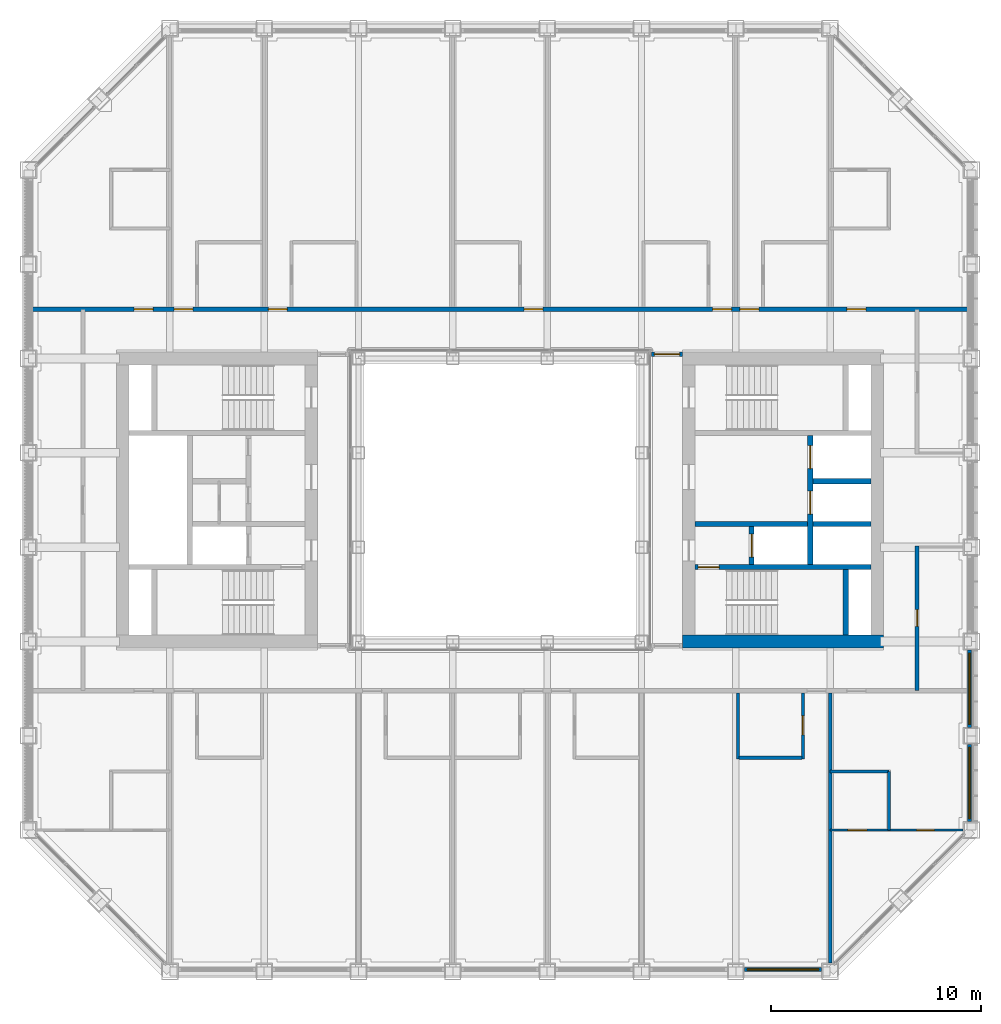
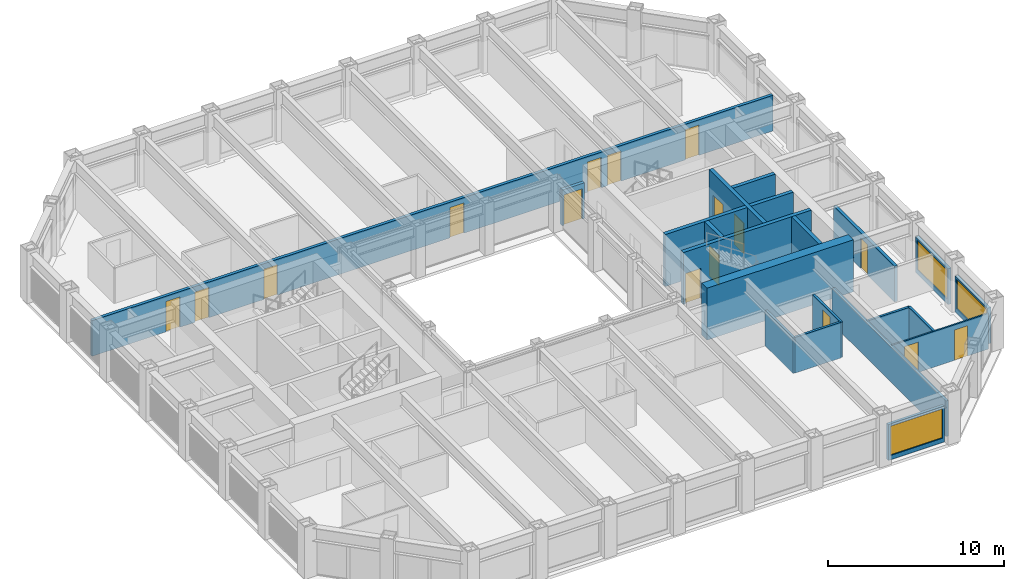
# One storey, part 12 of 17: 21 walls, 16 doors, 3 windows, 19 openings.
"""IFC4 building model written with IfcOpenShell, lengths in metres."""

import ifcopenshell
import ifcopenshell.guid

model = None  # the IFC model being written
_history = None  # IfcOwnerHistory: only IFC2X3 demands one
_inside = {}  # id of a spatial element -> (the spatial element, [elements in it])
_under = {}  # id of a project, library or spatial element -> (it, [spatial elements below it])
_declared = {}  # id of a project -> (the project, [libraries it declares])
_typed = {}  # id of a type object -> (the type object, [elements of that type])
_made_of = {}  # id of a material, layer set ... -> (it, [elements and type objects made of it])


def new_model(schema):
    """Start an empty IFC model of exactly this schema.

    Asked for "IFC4X3", IfcOpenShell would pick the latest addendum, in which some entities
    have other attributes; the version numbers below select the first issue.
    IFC2X3 requires an IfcOwnerHistory on every rooted entity: one is made here for all.
    """
    global model, _history
    if schema == "IFC4X3":
        model = ifcopenshell.file(schema_version=(4, 3, 0, 0))
    else:
        model = ifcopenshell.file(schema=schema)
    _inside.clear()
    _under.clear()
    _declared.clear()
    _typed.clear()
    _made_of.clear()
    _history = None
    if model.schema == "IFC2X3":
        org = make("IfcOrganization", Name="unknown")
        user = make(
            "IfcPersonAndOrganization",
            ThePerson=make("IfcPerson", FamilyName="unknown"),
            TheOrganization=org,
        )
        app = make(
            "IfcApplication",
            ApplicationDeveloper=org,
            Version="unknown",
            ApplicationFullName="unknown",
            ApplicationIdentifier="unknown",
        )
        _history = make(
            "IfcOwnerHistory",
            OwningUser=user,
            OwningApplication=app,
            ChangeAction="ADDED",
            CreationDate=0,
        )
    return model


def make(cls, **values):
    """One entity of the class cls with the attributes given. An attribute that is None is left unset."""
    return model.create_entity(
        cls, **{name: value for name, value in values.items() if value is not None}
    )


def rooted(cls, **values):
    """An entity with a GlobalId (a new one), such as an element, a storey or a relation."""
    return make(cls, GlobalId=ifcopenshell.guid.new(), OwnerHistory=_history, **values)


def si_unit(unit_type, name, prefix=None):
    """IfcSIUnit, for example si_unit("LENGTHUNIT", "METRE", prefix="MILLI")."""
    return make("IfcSIUnit", UnitType=unit_type, Prefix=prefix, Name=name)


def assignment(units):
    """IfcUnitAssignment: the units of a project."""
    return None if units is None else make("IfcUnitAssignment", Units=units)


def point(xyz):
    """IfcCartesianPoint."""
    return None if xyz is None else make("IfcCartesianPoint", Coordinates=xyz)


def direction(xyz):
    """IfcDirection."""
    return None if xyz is None else make("IfcDirection", DirectionRatios=xyz)


def frame(location, z_axis=None, x_axis=None):
    """IfcAxis2Placement3D, a coordinate frame: its origin and axes. An axis left out is left unset."""
    return make(
        "IfcAxis2Placement3D",
        Location=point(location),
        Axis=direction(z_axis),
        RefDirection=direction(x_axis),
    )


def frame_2d(location, x_axis=None):
    """IfcAxis2Placement2D, a coordinate frame in the plane: its origin and x axis."""
    return make(
        "IfcAxis2Placement2D", Location=point(location), RefDirection=direction(x_axis)
    )


def origin():
    """The frame at (0, 0, 0) with its axes left unset."""
    return frame((0.0, 0.0, 0.0))


def place(relative_to, where):
    """IfcLocalPlacement: puts the frame where relative to a parent placement (None: the world)."""
    return make(
        "IfcLocalPlacement", PlacementRelTo=relative_to, RelativePlacement=where
    )


def context(
    kind, dimensions, precision=None, world=None, true_north=None, identifier=None
):
    """IfcGeometricRepresentationContext, for example the 3D "Model" context."""
    return make(
        "IfcGeometricRepresentationContext",
        ContextIdentifier=identifier,
        ContextType=kind,
        CoordinateSpaceDimension=dimensions,
        Precision=precision,
        WorldCoordinateSystem=world,
        TrueNorth=true_north,
    )


def subcontext(parent, identifier, kind, view, scale=None):
    """IfcGeometricRepresentationSubContext, for example "Body" below "Model"."""
    return make(
        "IfcGeometricRepresentationSubContext",
        ContextIdentifier=identifier,
        ContextType=kind,
        ParentContext=parent,
        TargetScale=scale,
        TargetView=view,
    )


def project(units=None, contexts=None):
    """IfcProject with its units and contexts."""
    return rooted(
        "IfcProject",
        Name="project",
        RepresentationContexts=contexts,
        UnitsInContext=assignment(units),
    )


def spatial(cls, under=None, at=None, **own):
    """A site, building, storey or space (cls), placed at a placement, below another one or the project."""
    s = rooted(cls, ObjectPlacement=at, **own)
    if under is not None:
        _under.setdefault(under.id(), (under, []))[1].append(s)
    return s


def profile(cls, at=None, kind="AREA", **sizes):
    """A parametric profile (cls). Its sizes go by their IFC names, for example OverallWidth=200.0."""
    return make(cls, ProfileType=kind, Position=at, **sizes)


def rectangle(**sizes):
    """IfcRectangleProfileDef."""
    return profile("IfcRectangleProfileDef", **sizes)


def extrude(swept, where, along, depth):
    """IfcExtrudedAreaSolid: the profile swept, set in the frame where, extruded along a direction by depth."""
    return make(
        "IfcExtrudedAreaSolid",
        SweptArea=swept,
        Position=where,
        ExtrudedDirection=direction(along),
        Depth=depth,
    )


def shape(context_of_items, identifier, shape_type, items):
    """IfcShapeRepresentation: the items that make up one representation, for example the "Body"."""
    return make(
        "IfcShapeRepresentation",
        ContextOfItems=context_of_items,
        RepresentationIdentifier=identifier,
        RepresentationType=shape_type,
        Items=items,
    )


def material(Name=None, Category=None):
    """IfcMaterial."""
    return make("IfcMaterial", Name=Name, Category=Category)


def layer(
    of_material, thickness, ventilated=None, Name=None, Category=None, Priority=None
):
    """IfcMaterialLayer: one layer of a wall or slab, of a material (None: an air gap)."""
    return make(
        "IfcMaterialLayer",
        Material=of_material,
        LayerThickness=thickness,
        IsVentilated=ventilated,
        Name=Name,
        Category=Category,
        Priority=Priority,
    )


def layer_set(layers, Name=None):
    """IfcMaterialLayerSet."""
    return make("IfcMaterialLayerSet", MaterialLayers=layers, LayerSetName=Name)


def made_of(thing, what):
    """Note that an element or type object is made of a material, layer set ...; save() writes the relation."""
    if what is not None:
        _made_of.setdefault(what.id(), (what, []))[1].append(thing)
    return thing


def type_object(cls, material=None, **own):
    """A type object (cls), such as IfcWallType, which elements share."""
    return made_of(rooted(cls, **own), material)


def element(
    cls,
    number,
    at=None,
    inside=None,
    cuts=None,
    type_object=None,
    material=None,
    context=None,
    identifier="Body",
    shape_type=None,
    held_by="IfcProductDefinitionShape",
    body=None,
    shapes=None,
    **own,
):
    """One element of the class cls, such as IfcWall. Its Tag is "e" and its number.

    at: its placement. inside: the storey or other place that contains it. cuts: it is an
    opening in that element (IfcRelVoidsElement). A single representation is given by context,
    identifier, shape_type and body (its items); several are given by shapes. held_by: the class
    of the entity that holds the representations. save() writes the other relations.
    """
    e = rooted(cls, Tag="e%d" % number, ObjectPlacement=at, **own)
    if body is not None:
        shapes = [shape(context, identifier, shape_type, body)]
    if shapes is not None:
        e.Representation = make(held_by, Representations=shapes)
    if inside is not None:
        _inside.setdefault(inside.id(), (inside, []))[1].append(e)
    if cuts is not None:
        rooted(
            "IfcRelVoidsElement", RelatingBuildingElement=cuts, RelatedOpeningElement=e
        )
    if type_object is not None:
        _typed.setdefault(type_object.id(), (type_object, []))[1].append(e)
    return made_of(e, material)


def fill(opening, filler):
    """IfcRelFillsElement: the door or window that sits in an opening."""
    return rooted(
        "IfcRelFillsElement",
        RelatingOpeningElement=opening,
        RelatedBuildingElement=filler,
    )


def aggregate(whole, parts):
    """IfcRelAggregates: a whole, such as a stair, and the parts it consists of."""
    return rooted("IfcRelAggregates", RelatingObject=whole, RelatedObjects=parts)


def save(model, path):
    """Write the relations noted so far, then the file.

    IfcRelAggregates (storeys below a building ...), IfcRelContainedInSpatialStructure (elements
    in a storey), IfcRelDefinesByType, IfcRelAssociatesMaterial and IfcRelDeclares: one each for
    every whole, place, type object, material and project.
    """
    for whole, parts in _under.values():
        aggregate(whole, parts)
    for where, things in _inside.values():
        rooted(
            "IfcRelContainedInSpatialStructure",
            RelatedElements=things,
            RelatingStructure=where,
        )
    for kind, things in _typed.values():
        rooted("IfcRelDefinesByType", RelatedObjects=things, RelatingType=kind)
    for what, things in _made_of.values():
        rooted("IfcRelAssociatesMaterial", RelatedObjects=things, RelatingMaterial=what)
    for by, libraries in _declared.values():
        rooted("IfcRelDeclares", RelatingContext=by, RelatedDefinitions=libraries)
    model.write(path)


model = new_model("IFC4")

# Units and contexts
model_context = context("Model", 3, precision=1e-05, world=origin(), true_north=direction((0.0, 1.0)))
body_context = subcontext(model_context, "Body", "Model", "MODEL_VIEW")
ifc_project = project(units=[si_unit("LENGTHUNIT", "METRE"), si_unit("AREAUNIT", "SQUARE_METRE"), si_unit("VOLUMEUNIT", "CUBIC_METRE"), si_unit("PLANEANGLEUNIT", "RADIAN"), si_unit("MASSUNIT", "GRAM", prefix="KILO")], contexts=[model_context])

# Site, building, storey
site_placement = place(None, origin())
site = spatial("IfcSite", under=ifc_project, at=site_placement, CompositionType="ELEMENT")
building_placement = place(site_placement, origin())
building = spatial("IfcBuilding", under=site, at=building_placement, Name="Msasa Ring Tower", CompositionType="ELEMENT")
storey_placement = place(building_placement, frame((0.0, 0.0, 158.0)))
storey = spatial("IfcBuildingStorey", under=building, at=storey_placement, Name="L41", CompositionType="ELEMENT", Elevation=158.0)

# Wall
ifc_material_1 = material(Name="Concrete C60/75", Category="concrete")
ifc_layer_1 = layer(ifc_material_1, 0.60009765625)
ifc_layer_set_1 = layer_set([ifc_layer_1], Name="CW2 CORE WALL 600")
wall_type_1 = type_object("IfcWallType", Name="CW2 CORE WALL 600", PredefinedType="SHEAR", material=ifc_layer_set_1)
wall_1_placement = place(storey_placement, frame((8.699951171875, -6.75, 0.0), z_axis=(0.0, 0.0, 1.0), x_axis=(1.0, 0.0, 0.0)))
element("IfcWall", 1, at=wall_1_placement, inside=storey, type_object=wall_type_1, Name="E core wall S L41", PredefinedType="SHEAR", context=body_context, shape_type="SweptSolid", body=[
    extrude(rectangle(XDim=9.60009765625, YDim=0.60009765625, at=frame_2d((4.800048828125, 0.0))), origin(), (0.0, 0.0, 1.0), 3.60009765625),
])

# Wall, opening, door
ifc_material_2 = material(Name="Concrete C60/75", Category="concrete")
ifc_layer_2 = layer(ifc_material_2, 0.25)
ifc_layer_set_2 = layer_set([ifc_layer_2], Name="CW4 CORE INNER WALL 250")
wall_type_2 = type_object("IfcWallType", Name="CW4 CORE INNER WALL 250", PredefinedType="SHEAR", material=ifc_layer_set_2)
wall_2_placement = place(storey_placement, frame((9.300048828125, -3.199951171875, 0.0), z_axis=(0.0, 0.0, 1.0), x_axis=(1.0, 0.0, 0.0)))
wall_2 = element("IfcWall", 2, at=wall_2_placement, inside=storey, type_object=wall_type_2, Name="E core wall STAIRA L41", PredefinedType="SHEAR", context=body_context, shape_type="SweptSolid", body=[
    extrude(rectangle(XDim=8.39990234375, YDim=0.25, at=frame_2d((4.199951171875, 0.0))), origin(), (0.0, 0.0, 1.0), 3.60009765625),
])
opening_1_placement = place(wall_2_placement, frame((0.14990234375, 0.0, 0.0)))
opening_1 = element("IfcOpeningElement", 3, at=opening_1_placement, cuts=wall_2, Name="Opening HD-029", PredefinedType="OPENING", context=body_context, shape_type="SweptSolid", body=[
    extrude(rectangle(XDim=1.0, YDim=2.10009765625, at=frame_2d((0.5, 1.050048828125))), frame((0.0, 0.135009765625, 0.0), z_axis=(0.0, -1.0, 0.0), x_axis=(1.0, 0.0, 0.0)), (0.0, 0.0, 1.0), 0.27001953125),
])
ifc_material_3 = material(Name="Timber door leaf in a steel frame", Category="steel")
door_type_1 = type_object("IfcDoorType", Name="D6 STAIR DOOR 1000x2100", OperationType="SINGLE_SWING_LEFT", PredefinedType="DOOR", material=ifc_material_3)
door_1_placement = place(opening_1_placement, origin())
door_1 = element("IfcDoor", 4, at=door_1_placement, inside=storey, type_object=door_type_1, Name="Door L41-ESTA", OperationType="SINGLE_SWING_LEFT", OverallHeight=2.10009765625, OverallWidth=1.0, PredefinedType="DOOR", context=body_context, shape_type="SweptSolid", body=[
    extrude(rectangle(XDim=1.0, YDim=2.10009765625, at=frame_2d((0.5, 1.050048828125))), frame((0.0, 0.02490234375, 0.0), z_axis=(0.0, -1.0, 0.0), x_axis=(1.0, 0.0, 0.0)), (0.0, 0.0, 1.0), 0.050048828125),
])
fill(opening_1, door_1)

# Walls
wall_3_placement = place(storey_placement, frame((16.5, -6.449951171875, 0.0), z_axis=(0.0, 0.0, 1.0), x_axis=(0.0, 1.0, 0.0)))
element("IfcWall", 5, at=wall_3_placement, inside=storey, type_object=wall_type_2, Name="E core wall RISERA L41", PredefinedType="SHEAR", context=body_context, shape_type="SweptSolid", body=[
    extrude(rectangle(XDim=3.125, YDim=0.25, at=frame_2d((1.5625, 0.0))), origin(), (0.0, 0.0, 1.0), 3.60009765625),
])
wall_4_placement = place(storey_placement, frame((9.300048828125, -1.14990234375, 0.0), z_axis=(0.0, 0.0, 1.0), x_axis=(1.0, 0.0, 0.0)))
element("IfcWall", 6, at=wall_4_placement, inside=storey, type_object=wall_type_2, Name="E core wall FFL L41", PredefinedType="SHEAR", context=body_context, shape_type="SweptSolid", body=[
    extrude(rectangle(XDim=5.375, YDim=0.25, at=frame_2d((2.6875, 0.0))), origin(), (0.0, 0.0, 1.0), 3.60009765625),
])

# Wall, opening, door
wall_5_placement = place(storey_placement, frame((12.0, -3.074951171875, 0.0), z_axis=(0.0, 0.0, 1.0), x_axis=(0.0, 1.0, 0.0)))
wall_5 = element("IfcWall", 7, at=wall_5_placement, inside=storey, type_object=wall_type_2, Name="E core wall LOBBY L41", PredefinedType="SHEAR", context=body_context, shape_type="SweptSolid", body=[
    extrude(rectangle(XDim=1.800048828125, YDim=0.25, at=frame_2d((0.89990234375, 0.0))), origin(), (0.0, 0.0, 1.0), 3.60009765625),
])
opening_2_placement = place(wall_5_placement, frame((0.35009765625, 0.0, 0.0)))
opening_2 = element("IfcOpeningElement", 8, at=opening_2_placement, cuts=wall_5, Name="Opening LD1", PredefinedType="OPENING", context=body_context, shape_type="SweptSolid", body=[
    extrude(rectangle(XDim=1.10009765625, YDim=2.10009765625, at=frame_2d((0.550048828125, 1.050048828125))), frame((0.0, 0.135009765625, 0.0), z_axis=(0.0, -1.0, 0.0), x_axis=(1.0, 0.0, 0.0)), (0.0, 0.0, 1.0), 0.27001953125),
])
ifc_material_4 = material(Name="Stainless steel lift landing door", Category="steel")
door_type_2 = type_object("IfcDoorType", Name="LD1 LIFT LANDING DOOR 1100x2100", OperationType="DOUBLE_DOOR_SLIDING", PredefinedType="DOOR", material=ifc_material_4)
door_2_placement = place(opening_2_placement, origin())
door_2 = element("IfcDoor", 9, at=door_2_placement, inside=storey, type_object=door_type_2, Name="Lift landing door FL-E L41", OperationType="DOUBLE_DOOR_SLIDING", OverallHeight=2.10009765625, OverallWidth=1.10009765625, PredefinedType="DOOR", context=body_context, shape_type="SweptSolid", body=[
    extrude(rectangle(XDim=1.10009765625, YDim=2.10009765625, at=frame_2d((0.550048828125, 1.050048828125))), frame((0.0, 0.02490234375, 0.0), z_axis=(0.0, -1.0, 0.0), x_axis=(1.0, 0.0, 0.0)), (0.0, 0.0, 1.0), 0.050048828125),
])
fill(opening_2, door_2)

# Wall, openings, doors
wall_6_placement = place(storey_placement, frame((14.800048828125, -3.074951171875, 0.0), z_axis=(0.0, 0.0, 1.0), x_axis=(0.0, 1.0, 0.0)))
wall_6 = element("IfcWall", 10, at=wall_6_placement, inside=storey, type_object=wall_type_2, Name="E core wall SHAFT L41", PredefinedType="SHEAR", context=body_context, shape_type="SweptSolid", body=[
    extrude(rectangle(XDim=6.14990234375, YDim=0.25, at=frame_2d((3.074951171875, 0.0))), origin(), (0.0, 0.0, 1.0), 3.60009765625),
])
opening_3_placement = place(wall_6_placement, frame((2.39990234375, 0.0, 0.0)))
opening_3 = element("IfcOpeningElement", 11, at=opening_3_placement, cuts=wall_6, Name="Opening LD1", PredefinedType="OPENING", context=body_context, shape_type="SweptSolid", body=[
    extrude(rectangle(XDim=1.10009765625, YDim=2.10009765625, at=frame_2d((0.550048828125, 1.050048828125))), frame((0.0, 0.135009765625, 0.0), z_axis=(0.0, -1.0, 0.0), x_axis=(1.0, 0.0, 0.0)), (0.0, 0.0, 1.0), 0.27001953125),
])
opening_4_placement = place(wall_6_placement, frame((4.574951171875, 0.0, 0.0)))
opening_4 = element("IfcOpeningElement", 12, at=opening_4_placement, cuts=wall_6, Name="Opening LD1", PredefinedType="OPENING", context=body_context, shape_type="SweptSolid", body=[
    extrude(rectangle(XDim=1.10009765625, YDim=2.10009765625, at=frame_2d((0.550048828125, 1.050048828125))), frame((0.0, 0.135009765625, 0.0), z_axis=(0.0, -1.0, 0.0), x_axis=(1.0, 0.0, 0.0)), (0.0, 0.0, 1.0), 0.27001953125),
])
door_3_placement = place(opening_3_placement, origin())
door_3 = element("IfcDoor", 13, at=door_3_placement, inside=storey, type_object=door_type_2, Name="Lift landing door PL-H1 L41", OperationType="DOUBLE_DOOR_SLIDING", OverallHeight=2.10009765625, OverallWidth=1.10009765625, PredefinedType="DOOR", context=body_context, shape_type="SweptSolid", body=[
    extrude(rectangle(XDim=1.10009765625, YDim=2.10009765625, at=frame_2d((0.550048828125, 1.050048828125))), frame((0.0, 0.02490234375, 0.0), z_axis=(0.0, -1.0, 0.0), x_axis=(1.0, 0.0, 0.0)), (0.0, 0.0, 1.0), 0.050048828125),
])
fill(opening_3, door_3)
door_4_placement = place(opening_4_placement, origin())
door_4 = element("IfcDoor", 14, at=door_4_placement, inside=storey, type_object=door_type_2, Name="Lift landing door PL-H2 L41", OperationType="DOUBLE_DOOR_SLIDING", OverallHeight=2.10009765625, OverallWidth=1.10009765625, PredefinedType="DOOR", context=body_context, shape_type="SweptSolid", body=[
    extrude(rectangle(XDim=1.10009765625, YDim=2.10009765625, at=frame_2d((0.550048828125, 1.050048828125))), frame((0.0, 0.02490234375, 0.0), z_axis=(0.0, -1.0, 0.0), x_axis=(1.0, 0.0, 0.0)), (0.0, 0.0, 1.0), 0.050048828125),
])
fill(opening_4, door_4)

# Walls
for number, where, z_axis, x_axis, name in (
    (15, (14.925048828125, -1.14990234375, 0.0), (0.0, 0.0, 1.0), (1.0, 0.0, 0.0), "E core wall HSEP L41"),
    (16, (14.925048828125, 0.89990234375, 0.0), (0.0, 0.0, 1.0), (1.0, 0.0, 0.0), "E core wall HLIFT L41"),
):
    element("IfcWall", number, at=place(storey_placement, frame(where, z_axis=z_axis, x_axis=x_axis)), inside=storey, type_object=wall_type_2, Name=name, PredefinedType="SHEAR", context=body_context, shape_type="SweptSolid", body=[
        extrude(rectangle(XDim=2.77490234375, YDim=0.25, at=frame_2d((1.387451171875, 0.0))), origin(), (0.0, 0.0, 1.0), 3.60009765625),
    ])

# Wall, opening, window
ifc_material_5 = material(Name="Terracotta rainscreen on blockwork", Category="masonry")
ifc_layer_3 = layer(ifc_material_5, 0.199951171875)
ifc_layer_set_3 = layer_set([ifc_layer_3], Name="FW1 TERRACOTTA-LINED INFILL BAY WALL 200")
wall_type_3 = type_object("IfcWallType", Name="FW1 TERRACOTTA-LINED INFILL BAY WALL 200", PredefinedType="SOLIDWALL", material=ifc_layer_set_3)
wall_7_placement = place(storey_placement, frame((11.655029296875, -22.39990234375, 0.0), z_axis=(0.0, 0.0, 1.0), x_axis=(1.0, 0.0, 0.0)))
wall_7 = element("IfcWall", 17, at=wall_7_placement, inside=storey, type_object=wall_type_3, Name="Infill bay wall S L41 06", PredefinedType="SOLIDWALL", context=body_context, shape_type="SweptSolid", body=[
    extrude(rectangle(XDim=3.68994140625, YDim=0.199951171875, at=frame_2d((1.844970703125, 0.0))), origin(), (0.0, 0.0, 1.0), 2.47900390625),
])
opening_5_placement = place(wall_7_placement, frame((0.14501953125, 0.0, 0.300048828125)))
opening_5 = element("IfcOpeningElement", 18, at=opening_5_placement, cuts=wall_7, Name="Opening WN2", PredefinedType="OPENING", context=body_context, shape_type="SweptSolid", body=[
    extrude(rectangle(XDim=3.39990234375, YDim=2.029052734375, at=frame_2d((1.699951171875, 1.0146484375))), frame((0.0, 0.10986328125, 0.0), z_axis=(0.0, -1.0, 0.0), x_axis=(1.0, 0.0, 0.0)), (0.0, 0.0, 1.0), 0.219970703125),
])
ifc_material_6 = material(Name="Aluminium frame with clear glass", Category="aluminium")
window_type = type_object("IfcWindowType", Name="WN2 GUEST ROOM WINDOW 3400x2029", PartitioningType="SINGLE_PANEL", PredefinedType="WINDOW", material=ifc_material_6)
window_1_placement = place(opening_5_placement, origin())
window_1 = element("IfcWindow", 19, at=window_1_placement, inside=storey, type_object=window_type, Name="Window S L41 06", OverallHeight=2.029052734375, OverallWidth=3.39990234375, PartitioningType="SINGLE_PANEL", PredefinedType="WINDOW", context=body_context, shape_type="SweptSolid", body=[
    extrude(rectangle(XDim=3.39990234375, YDim=2.029052734375, at=frame_2d((1.699951171875, 1.0146484375))), frame((0.0, 0.030029296875, 0.0), z_axis=(0.0, -1.0, 0.0), x_axis=(1.0, 0.0, 0.0)), (0.0, 0.0, 1.0), 0.06005859375),
])
fill(opening_5, window_1)

wall_8_placement = place(storey_placement, frame((22.39990234375, -15.344970703125, 0.0), z_axis=(0.0, 0.0, 1.0), x_axis=(0.0, 1.0, 0.0)))
wall_8 = element("IfcWall", 20, at=wall_8_placement, inside=storey, type_object=wall_type_3, Name="Infill bay wall E L41 09", PredefinedType="SOLIDWALL", context=body_context, shape_type="SweptSolid", body=[
    extrude(rectangle(XDim=3.68994140625, YDim=0.199951171875, at=frame_2d((1.844970703125, 0.0))), origin(), (0.0, 0.0, 1.0), 2.47900390625),
])
opening_6_placement = place(wall_8_placement, frame((0.14501953125, 0.0, 0.300048828125)))
opening_6 = element("IfcOpeningElement", 21, at=opening_6_placement, cuts=wall_8, Name="Opening WN2", PredefinedType="OPENING", context=body_context, shape_type="SweptSolid", body=[
    extrude(rectangle(XDim=3.39990234375, YDim=2.029052734375, at=frame_2d((1.699951171875, 1.0146484375))), frame((0.0, 0.10986328125, 0.0), z_axis=(0.0, -1.0, 0.0), x_axis=(1.0, 0.0, 0.0)), (0.0, 0.0, 1.0), 0.219970703125),
])
window_2_placement = place(opening_6_placement, origin())
window_2 = element("IfcWindow", 22, at=window_2_placement, inside=storey, type_object=window_type, Name="Window E L41 09", OverallHeight=2.029052734375, OverallWidth=3.39990234375, PartitioningType="SINGLE_PANEL", PredefinedType="WINDOW", context=body_context, shape_type="SweptSolid", body=[
    extrude(rectangle(XDim=3.39990234375, YDim=2.029052734375, at=frame_2d((1.699951171875, 1.0146484375))), frame((0.0, 0.030029296875, 0.0), z_axis=(0.0, -1.0, 0.0), x_axis=(1.0, 0.0, 0.0)), (0.0, 0.0, 1.0), 0.06005859375),
])
fill(opening_6, window_2)

wall_9_placement = place(storey_placement, frame((22.39990234375, -10.844970703125, 0.0), z_axis=(0.0, 0.0, 1.0), x_axis=(0.0, 1.0, 0.0)))
wall_9 = element("IfcWall", 23, at=wall_9_placement, inside=storey, type_object=wall_type_3, Name="Infill bay wall E L41 10", PredefinedType="SOLIDWALL", context=body_context, shape_type="SweptSolid", body=[
    extrude(rectangle(XDim=3.68994140625, YDim=0.199951171875, at=frame_2d((1.844970703125, 0.0))), origin(), (0.0, 0.0, 1.0), 2.47900390625),
])
opening_7_placement = place(wall_9_placement, frame((0.14501953125, 0.0, 0.300048828125)))
opening_7 = element("IfcOpeningElement", 24, at=opening_7_placement, cuts=wall_9, Name="Opening WN2", PredefinedType="OPENING", context=body_context, shape_type="SweptSolid", body=[
    extrude(rectangle(XDim=3.39990234375, YDim=2.029052734375, at=frame_2d((1.699951171875, 1.0146484375))), frame((0.0, 0.10986328125, 0.0), z_axis=(0.0, -1.0, 0.0), x_axis=(1.0, 0.0, 0.0)), (0.0, 0.0, 1.0), 0.219970703125),
])
window_3_placement = place(opening_7_placement, origin())
window_3 = element("IfcWindow", 25, at=window_3_placement, inside=storey, type_object=window_type, Name="Window E L41 10", OverallHeight=2.029052734375, OverallWidth=3.39990234375, PartitioningType="SINGLE_PANEL", PredefinedType="WINDOW", context=body_context, shape_type="SweptSolid", body=[
    extrude(rectangle(XDim=3.39990234375, YDim=2.029052734375, at=frame_2d((1.699951171875, 1.0146484375))), frame((0.0, 0.030029296875, 0.0), z_axis=(0.0, -1.0, 0.0), x_axis=(1.0, 0.0, 0.0)), (0.0, 0.0, 1.0), 0.06005859375),
])
fill(opening_7, window_3)

# Wall, opening, door
ifc_material_7 = material(Name="Concrete blockwork", Category="masonry")
ifc_layer_4 = layer(ifc_material_7, 0.199951171875)
ifc_layer_set_4 = layer_set([ifc_layer_4], Name="PT1 CORRIDOR WALL 200")
wall_type_4 = type_object("IfcWallType", Name="PT1 CORRIDOR WALL 200", PredefinedType="PARTITIONING", material=ifc_layer_set_4)
wall_10_placement = place(storey_placement, frame((7.22998046875, 6.949951171875, 0.0), z_axis=(0.0, 0.0, 1.0), x_axis=(1.0, 0.0, 0.0)))
wall_10 = element("IfcWall", 26, at=wall_10_placement, inside=storey, type_object=wall_type_4, Name="Corridor wall L41-SDEN", PredefinedType="PARTITIONING", context=body_context, shape_type="SweptSolid", body=[
    extrude(rectangle(XDim=1.469970703125, YDim=0.199951171875, at=frame_2d((0.73486328125, 0.0))), origin(), (0.0, 0.0, 1.0), 2.473388671875),
])
opening_8_placement = place(wall_10_placement, frame((0.135009765625, 0.0, 0.0)))
opening_8 = element("IfcOpeningElement", 27, at=opening_8_placement, cuts=wall_10, Name="Opening HD-016", PredefinedType="OPENING", context=body_context, shape_type="SweptSolid", body=[
    extrude(rectangle(XDim=1.199951171875, YDim=2.10009765625, at=frame_2d((0.60009765625, 1.050048828125))), frame((0.0, 0.10986328125, 0.0), z_axis=(0.0, -1.0, 0.0), x_axis=(1.0, 0.0, 0.0)), (0.0, 0.0, 1.0), 0.219970703125),
])
ifc_material_8 = material(Name="Timber door leaf in a steel frame", Category="steel")
door_type_3 = type_object("IfcDoorType", Name="D25 CORRIDOR PAIR OF SMOKE DOORS 1200x2100", OperationType="DOUBLE_DOOR_DOUBLE_SWING", PredefinedType="DOOR", material=ifc_material_8)
door_5_placement = place(opening_8_placement, origin())
door_5 = element("IfcDoor", 28, at=door_5_placement, inside=storey, type_object=door_type_3, Name="Door L41-SDEN", OperationType="DOUBLE_DOOR_DOUBLE_SWING", OverallHeight=2.10009765625, OverallWidth=1.199951171875, PredefinedType="DOOR", context=body_context, shape_type="SweptSolid", body=[
    extrude(rectangle(XDim=1.199951171875, YDim=2.10009765625, at=frame_2d((0.60009765625, 1.050048828125))), frame((0.0, 0.02490234375, 0.0), z_axis=(0.0, -1.0, 0.0), x_axis=(1.0, 0.0, 0.0)), (0.0, 0.0, 1.0), 0.050048828125),
])
fill(opening_8, door_5)

# Wall, openings, doors
wall_11_placement = place(storey_placement, frame((-22.300048828125, 9.10009765625, 0.0), z_axis=(0.0, 0.0, 1.0), x_axis=(1.0, 0.0, 0.0)))
wall_11 = element("IfcWall", 29, at=wall_11_placement, inside=storey, type_object=wall_type_4, Name="Corridor wall L41-CORRN0", PredefinedType="PARTITIONING", context=body_context, shape_type="SweptSolid", body=[
    extrude(rectangle(XDim=44.60009765625, YDim=0.199951171875, at=frame_2d((22.300048828125, 0.0))), origin(), (0.0, 0.0, 1.0), 2.473388671875),
])
opening_9_placement = place(wall_11_placement, frame((6.75, 0.0, 0.0)))
opening_9 = element("IfcOpeningElement", 30, at=opening_9_placement, cuts=wall_11, Name="Opening HD-009", PredefinedType="OPENING", context=body_context, shape_type="SweptSolid", body=[
    extrude(rectangle(XDim=0.89990234375, YDim=2.10009765625, at=frame_2d((0.449951171875, 1.050048828125))), frame((0.0, 0.10986328125, 0.0), z_axis=(0.0, -1.0, 0.0), x_axis=(1.0, 0.0, 0.0)), (0.0, 0.0, 1.0), 0.219970703125),
])
opening_10_placement = place(wall_11_placement, frame((11.25, 0.0, 0.0)))
opening_10 = element("IfcOpeningElement", 31, at=opening_10_placement, cuts=wall_11, Name="Opening HD-010", PredefinedType="OPENING", context=body_context, shape_type="SweptSolid", body=[
    extrude(rectangle(XDim=0.89990234375, YDim=2.10009765625, at=frame_2d((0.449951171875, 1.050048828125))), frame((0.0, 0.10986328125, 0.0), z_axis=(0.0, -1.0, 0.0), x_axis=(1.0, 0.0, 0.0)), (0.0, 0.0, 1.0), 0.219970703125),
])
opening_11_placement = place(wall_11_placement, frame((23.449951171875, 0.0, 0.0)))
opening_11 = element("IfcOpeningElement", 32, at=opening_11_placement, cuts=wall_11, Name="Opening HD-011", PredefinedType="OPENING", context=body_context, shape_type="SweptSolid", body=[
    extrude(rectangle(XDim=0.89990234375, YDim=2.10009765625, at=frame_2d((0.449951171875, 1.050048828125))), frame((0.0, 0.10986328125, 0.0), z_axis=(0.0, -1.0, 0.0), x_axis=(1.0, 0.0, 0.0)), (0.0, 0.0, 1.0), 0.219970703125),
])
opening_12_placement = place(wall_11_placement, frame((32.449951171875, 0.0, 0.0)))
opening_12 = element("IfcOpeningElement", 33, at=opening_12_placement, cuts=wall_11, Name="Opening HD-012", PredefinedType="OPENING", context=body_context, shape_type="SweptSolid", body=[
    extrude(rectangle(XDim=0.89990234375, YDim=2.10009765625, at=frame_2d((0.449951171875, 1.050048828125))), frame((0.0, 0.10986328125, 0.0), z_axis=(0.0, -1.0, 0.0), x_axis=(1.0, 0.0, 0.0)), (0.0, 0.0, 1.0), 0.219970703125),
])
opening_13_placement = place(wall_11_placement, frame((33.75, 0.0, 0.0)))
opening_13 = element("IfcOpeningElement", 34, at=opening_13_placement, cuts=wall_11, Name="Opening HD-013", PredefinedType="OPENING", context=body_context, shape_type="SweptSolid", body=[
    extrude(rectangle(XDim=0.89990234375, YDim=2.10009765625, at=frame_2d((0.449951171875, 1.050048828125))), frame((0.0, 0.10986328125, 0.0), z_axis=(0.0, -1.0, 0.0), x_axis=(1.0, 0.0, 0.0)), (0.0, 0.0, 1.0), 0.219970703125),
])
opening_14_placement = place(wall_11_placement, frame((38.85009765625, 0.0, 0.0)))
opening_14 = element("IfcOpeningElement", 35, at=opening_14_placement, cuts=wall_11, Name="Opening HD-014", PredefinedType="OPENING", context=body_context, shape_type="SweptSolid", body=[
    extrude(rectangle(XDim=0.89990234375, YDim=2.10009765625, at=frame_2d((0.449951171875, 1.050048828125))), frame((0.0, 0.10986328125, 0.0), z_axis=(0.0, -1.0, 0.0), x_axis=(1.0, 0.0, 0.0)), (0.0, 0.0, 1.0), 0.219970703125),
])
opening_15_placement = place(wall_11_placement, frame((4.85009765625, 0.0, 0.0)))
opening_15 = element("IfcOpeningElement", 36, at=opening_15_placement, cuts=wall_11, Name="Opening HD-008", PredefinedType="OPENING", context=body_context, shape_type="SweptSolid", body=[
    extrude(rectangle(XDim=0.89990234375, YDim=2.10009765625, at=frame_2d((0.449951171875, 1.050048828125))), frame((0.0, 0.10986328125, 0.0), z_axis=(0.0, -1.0, 0.0), x_axis=(1.0, 0.0, 0.0)), (0.0, 0.0, 1.0), 0.219970703125),
])
ifc_material_9 = material(Name="Timber door leaf in a steel frame", Category="steel")
door_type_4 = type_object("IfcDoorType", Name="D1 SINGLE DOOR TO CORRIDOR 900x2100", OperationType="SINGLE_SWING_LEFT", PredefinedType="DOOR", material=ifc_material_9)
door_6_placement = place(opening_9_placement, origin())
door_6 = element("IfcDoor", 37, at=door_6_placement, inside=storey, type_object=door_type_4, Name="Door L41-GN00", OperationType="SINGLE_SWING_LEFT", OverallHeight=2.10009765625, OverallWidth=0.89990234375, PredefinedType="DOOR", context=body_context, shape_type="SweptSolid", body=[
    extrude(rectangle(XDim=0.89990234375, YDim=2.10009765625, at=frame_2d((0.449951171875, 1.050048828125))), frame((0.0, 0.02490234375, 0.0), z_axis=(0.0, -1.0, 0.0), x_axis=(1.0, 0.0, 0.0)), (0.0, 0.0, 1.0), 0.050048828125),
])
fill(opening_9, door_6)
door_7_placement = place(opening_10_placement, origin())
door_7 = element("IfcDoor", 38, at=door_7_placement, inside=storey, type_object=door_type_4, Name="Door L41-GN01", OperationType="SINGLE_SWING_LEFT", OverallHeight=2.10009765625, OverallWidth=0.89990234375, PredefinedType="DOOR", context=body_context, shape_type="SweptSolid", body=[
    extrude(rectangle(XDim=0.89990234375, YDim=2.10009765625, at=frame_2d((0.449951171875, 1.050048828125))), frame((0.0, 0.02490234375, 0.0), z_axis=(0.0, -1.0, 0.0), x_axis=(1.0, 0.0, 0.0)), (0.0, 0.0, 1.0), 0.050048828125),
])
fill(opening_10, door_7)
door_8_placement = place(opening_11_placement, origin())
door_8 = element("IfcDoor", 39, at=door_8_placement, inside=storey, type_object=door_type_4, Name="Door L41-GN02", OperationType="SINGLE_SWING_RIGHT", OverallHeight=2.10009765625, OverallWidth=0.89990234375, PredefinedType="DOOR", context=body_context, shape_type="SweptSolid", body=[
    extrude(rectangle(XDim=0.89990234375, YDim=2.10009765625, at=frame_2d((0.449951171875, 1.050048828125))), frame((0.0, 0.02490234375, 0.0), z_axis=(0.0, -1.0, 0.0), x_axis=(1.0, 0.0, 0.0)), (0.0, 0.0, 1.0), 0.050048828125),
])
fill(opening_11, door_8)
door_9_placement = place(opening_12_placement, origin())
door_9 = element("IfcDoor", 40, at=door_9_placement, inside=storey, type_object=door_type_4, Name="Door L41-GN03", OperationType="SINGLE_SWING_RIGHT", OverallHeight=2.10009765625, OverallWidth=0.89990234375, PredefinedType="DOOR", context=body_context, shape_type="SweptSolid", body=[
    extrude(rectangle(XDim=0.89990234375, YDim=2.10009765625, at=frame_2d((0.449951171875, 1.050048828125))), frame((0.0, 0.02490234375, 0.0), z_axis=(0.0, -1.0, 0.0), x_axis=(1.0, 0.0, 0.0)), (0.0, 0.0, 1.0), 0.050048828125),
])
fill(opening_12, door_9)
door_10_placement = place(opening_13_placement, origin())
door_10 = element("IfcDoor", 41, at=door_10_placement, inside=storey, type_object=door_type_4, Name="Door L41-GN04", OperationType="SINGLE_SWING_RIGHT", OverallHeight=2.10009765625, OverallWidth=0.89990234375, PredefinedType="DOOR", context=body_context, shape_type="SweptSolid", body=[
    extrude(rectangle(XDim=0.89990234375, YDim=2.10009765625, at=frame_2d((0.449951171875, 1.050048828125))), frame((0.0, 0.02490234375, 0.0), z_axis=(0.0, -1.0, 0.0), x_axis=(1.0, 0.0, 0.0)), (0.0, 0.0, 1.0), 0.050048828125),
])
fill(opening_13, door_10)
ifc_material_10 = material(Name="Timber door leaf in a steel frame", Category="steel")
door_type_5 = type_object("IfcDoorType", Name="D2 ENTRANCE DOOR 900x2100", OperationType="SINGLE_SWING_LEFT", PredefinedType="DOOR", material=ifc_material_10)
door_11_placement = place(opening_14_placement, origin())
door_11 = element("IfcDoor", 42, at=door_11_placement, inside=storey, type_object=door_type_5, Name="Door L41-CSNE", OperationType="SINGLE_SWING_RIGHT", OverallHeight=2.10009765625, OverallWidth=0.89990234375, PredefinedType="DOOR", context=body_context, shape_type="SweptSolid", body=[
    extrude(rectangle(XDim=0.89990234375, YDim=2.10009765625, at=frame_2d((0.449951171875, 1.050048828125))), frame((0.0, 0.02490234375, 0.0), z_axis=(0.0, -1.0, 0.0), x_axis=(1.0, 0.0, 0.0)), (0.0, 0.0, 1.0), 0.050048828125),
])
fill(opening_14, door_11)
door_12_placement = place(opening_15_placement, origin())
door_12 = element("IfcDoor", 43, at=door_12_placement, inside=storey, type_object=door_type_5, Name="Door L41-CSNW", OperationType="SINGLE_SWING_LEFT", OverallHeight=2.10009765625, OverallWidth=0.89990234375, PredefinedType="DOOR", context=body_context, shape_type="SweptSolid", body=[
    extrude(rectangle(XDim=0.89990234375, YDim=2.10009765625, at=frame_2d((0.449951171875, 1.050048828125))), frame((0.0, 0.02490234375, 0.0), z_axis=(0.0, -1.0, 0.0), x_axis=(1.0, 0.0, 0.0)), (0.0, 0.0, 1.0), 0.050048828125),
])
fill(opening_15, door_12)

# Wall, opening, door
wall_12_placement = place(storey_placement, frame((19.89990234375, -9.10009765625, 0.0), z_axis=(0.0, 0.0, 1.0), x_axis=(0.0, 1.0, 0.0)))
wall_12 = element("IfcWall", 44, at=wall_12_placement, inside=storey, type_object=wall_type_4, Name="Corridor wall L41-STRES", PredefinedType="PARTITIONING", context=body_context, shape_type="SweptSolid", body=[
    extrude(rectangle(XDim=6.900146484375, YDim=0.199951171875, at=frame_2d((3.4501953125, 0.0))), origin(), (0.0, 0.0, 1.0), 2.473388671875),
])
opening_16_placement = place(wall_12_placement, frame((3.074951171875, 0.0, 0.0)))
opening_16 = element("IfcOpeningElement", 45, at=opening_16_placement, cuts=wall_12, Name="Opening HD-030", PredefinedType="OPENING", context=body_context, shape_type="SweptSolid", body=[
    extrude(rectangle(XDim=0.800048828125, YDim=2.10009765625, at=frame_2d((0.39990234375, 1.050048828125))), frame((0.0, 0.10986328125, 0.0), z_axis=(0.0, -1.0, 0.0), x_axis=(1.0, 0.0, 0.0)), (0.0, 0.0, 1.0), 0.219970703125),
])
ifc_material_11 = material(Name="Timber door leaf in a steel frame", Category="steel")
door_type_6 = type_object("IfcDoorType", Name="D11 NARROW STORE DOOR 800x2100", OperationType="SINGLE_SWING_LEFT", PredefinedType="DOOR", material=ifc_material_11)
door_13_placement = place(opening_16_placement, origin())
door_13 = element("IfcDoor", 46, at=door_13_placement, inside=storey, type_object=door_type_6, Name="Door L41-CLE", OperationType="SINGLE_SWING_LEFT", OverallHeight=2.10009765625, OverallWidth=0.800048828125, PredefinedType="DOOR", context=body_context, shape_type="SweptSolid", body=[
    extrude(rectangle(XDim=0.800048828125, YDim=2.10009765625, at=frame_2d((0.39990234375, 1.050048828125))), frame((0.0, 0.02490234375, 0.0), z_axis=(0.0, -1.0, 0.0), x_axis=(1.0, 0.0, 0.0)), (0.0, 0.0, 1.0), 0.050048828125),
])
fill(opening_16, door_13)

# Wall, openings, doors
ifc_material_12 = material(Name="Gypsum board on steel studs", Category="steel")
ifc_layer_5 = layer(ifc_material_12, 0.10009765625)
ifc_layer_set_5 = layer_set([ifc_layer_5], Name="PT2 STUD PARTITION 100")
wall_type_5 = type_object("IfcWallType", Name="PT2 STUD PARTITION 100", PredefinedType="PARTITIONING", material=ifc_layer_set_5)
wall_13_placement = place(storey_placement, frame((15.75, -15.75, 0.0), z_axis=(0.0, 0.0, 1.0), x_axis=(1.0, 0.0, 0.0)))
wall_13 = element("IfcWall", 47, at=wall_13_placement, inside=storey, type_object=wall_type_5, Name="Partition L41-CSSEX", PredefinedType="PARTITIONING", context=body_context, shape_type="SweptSolid", body=[
    extrude(rectangle(XDim=6.35009765625, YDim=0.10009765625, at=frame_2d((3.175048828125, 0.0))), origin(), (0.0, 0.0, 1.0), 2.473388671875),
])
opening_17_placement = place(wall_13_placement, frame((4.125, 0.0, 0.0)))
opening_17 = element("IfcOpeningElement", 48, at=opening_17_placement, cuts=wall_13, Name="Opening HD-048", PredefinedType="OPENING", context=body_context, shape_type="SweptSolid", body=[
    extrude(rectangle(XDim=0.85009765625, YDim=2.10009765625, at=frame_2d((0.425048828125, 1.050048828125))), frame((0.0, 0.06005859375, 0.0), z_axis=(0.0, -1.0, 0.0), x_axis=(1.0, 0.0, 0.0)), (0.0, 0.0, 1.0), 0.1201171875),
])
opening_18_placement = place(wall_13_placement, frame((0.85009765625, 0.0, 0.0)))
opening_18 = element("IfcOpeningElement", 49, at=opening_18_placement, cuts=wall_13, Name="Opening HD-047", PredefinedType="OPENING", context=body_context, shape_type="SweptSolid", body=[
    extrude(rectangle(XDim=0.89990234375, YDim=2.10009765625, at=frame_2d((0.449951171875, 1.050048828125))), frame((0.0, 0.06005859375, 0.0), z_axis=(0.0, -1.0, 0.0), x_axis=(1.0, 0.0, 0.0)), (0.0, 0.0, 1.0), 0.1201171875),
])
ifc_material_13 = material(Name="Timber door leaf in a steel frame", Category="steel")
door_type_7 = type_object("IfcDoorType", Name="D14 BEDROOM DOOR 850x2100", OperationType="SINGLE_SWING_LEFT", PredefinedType="DOOR", material=ifc_material_13)
door_14_placement = place(opening_17_placement, origin())
door_14 = element("IfcDoor", 50, at=door_14_placement, inside=storey, type_object=door_type_7, Name="Door L41-CSSER1", OperationType="SINGLE_SWING_RIGHT", OverallHeight=2.10009765625, OverallWidth=0.85009765625, PredefinedType="DOOR", context=body_context, shape_type="SweptSolid", body=[
    extrude(rectangle(XDim=0.85009765625, YDim=2.10009765625, at=frame_2d((0.425048828125, 1.050048828125))), frame((0.0, 0.02490234375, 0.0), z_axis=(0.0, -1.0, 0.0), x_axis=(1.0, 0.0, 0.0)), (0.0, 0.0, 1.0), 0.050048828125),
])
fill(opening_17, door_14)
ifc_material_14 = material(Name="Timber door leaf in a steel frame", Category="steel")
door_type_8 = type_object("IfcDoorType", Name="D3 BATHROOM DOOR 900x2100", OperationType="SINGLE_SWING_LEFT", PredefinedType="DOOR", material=ifc_material_14)
door_15_placement = place(opening_18_placement, origin())
door_15 = element("IfcDoor", 51, at=door_15_placement, inside=storey, type_object=door_type_8, Name="Door L41-CSSEB1", OperationType="SINGLE_SWING_LEFT", OverallHeight=2.10009765625, OverallWidth=0.89990234375, PredefinedType="DOOR", context=body_context, shape_type="SweptSolid", body=[
    extrude(rectangle(XDim=0.89990234375, YDim=2.10009765625, at=frame_2d((0.449951171875, 1.050048828125))), frame((0.0, 0.02490234375, 0.0), z_axis=(0.0, -1.0, 0.0), x_axis=(1.0, 0.0, 0.0)), (0.0, 0.0, 1.0), 0.050048828125),
])
fill(opening_18, door_15)

# Wall, opening, door
ifc_material_15 = material(Name="Moisture-resistant board on steel studs with a concealed cistern and pipe void, tiled", Category="steel")
ifc_layer_6 = layer(ifc_material_15, 0.14990234375)
ifc_layer_set_6 = layer_set([ifc_layer_6], Name="PT4 BATHROOM WET WALL 150")
wall_type_6 = type_object("IfcWallType", Name="PT4 BATHROOM WET WALL 150", PredefinedType="PARTITIONING", material=ifc_layer_set_6)
wall_14_placement = place(storey_placement, frame((14.449951171875, -12.35009765625, 0.0), z_axis=(0.0, 0.0, 1.0), x_axis=(0.0, 1.0, 0.0)))
wall_14 = element("IfcWall", 52, at=wall_14_placement, inside=storey, type_object=wall_type_6, Name="Partition L41-GS04BX", PredefinedType="PARTITIONING", context=body_context, shape_type="SweptSolid", body=[
    extrude(rectangle(XDim=3.150146484375, YDim=0.14990234375, at=frame_2d((1.5751953125, 0.0))), origin(), (0.0, 0.0, 1.0), 2.473388671875),
])
opening_19_placement = place(wall_14_placement, frame((1.14990234375, 0.0, 0.0)))
opening_19 = element("IfcOpeningElement", 53, at=opening_19_placement, cuts=wall_14, Name="Opening HD-044", PredefinedType="OPENING", context=body_context, shape_type="SweptSolid", body=[
    extrude(rectangle(XDim=0.89990234375, YDim=2.10009765625, at=frame_2d((0.449951171875, 1.050048828125))), frame((0.0, 0.0849609375, 0.0), z_axis=(0.0, -1.0, 0.0), x_axis=(1.0, 0.0, 0.0)), (0.0, 0.0, 1.0), 0.169921875),
])
door_16_placement = place(opening_19_placement, origin())
door_16 = element("IfcDoor", 54, at=door_16_placement, inside=storey, type_object=door_type_8, Name="Door L41-GS04B", OperationType="SINGLE_SWING_LEFT", OverallHeight=2.10009765625, OverallWidth=0.89990234375, PredefinedType="DOOR", context=body_context, shape_type="SweptSolid", body=[
    extrude(rectangle(XDim=0.89990234375, YDim=2.10009765625, at=frame_2d((0.449951171875, 1.050048828125))), frame((0.0, 0.02490234375, 0.0), z_axis=(0.0, -1.0, 0.0), x_axis=(1.0, 0.0, 0.0)), (0.0, 0.0, 1.0), 0.050048828125),
])
fill(opening_19, door_16)

# Walls
wall_15_placement = place(storey_placement, frame((11.35009765625, -12.35009765625, 0.0), z_axis=(0.0, 0.0, 1.0), x_axis=(0.0, 1.0, 0.0)))
element("IfcWall", 55, at=wall_15_placement, inside=storey, type_object=wall_type_6, Name="Partition L41-GS04BF", PredefinedType="PARTITIONING", context=body_context, shape_type="SweptSolid", body=[
    extrude(rectangle(XDim=3.150146484375, YDim=0.14990234375, at=frame_2d((1.5751953125, 0.0))), origin(), (0.0, 0.0, 1.0), 2.473388671875),
])
wall_16_placement = place(storey_placement, frame((11.39990234375, -12.300048828125, 0.0), z_axis=(0.0, 0.0, 1.0), x_axis=(1.0, 0.0, 0.0)))
element("IfcWall", 56, at=wall_16_placement, inside=storey, type_object=wall_type_6, Name="Partition L41-GS04BY", PredefinedType="PARTITIONING", context=body_context, shape_type="SweptSolid", body=[
    extrude(rectangle(XDim=3.0, YDim=0.14990234375, at=frame_2d((1.5, 0.0))), origin(), (0.0, 0.0, 1.0), 2.473388671875),
])
for number, where, z_axis, x_axis, name in (
    (57, (18.550048828125, -15.75, 0.0), (0.0, 0.0, 1.0), (0.0, 1.0, 0.0), "Partition L41-CSSEBX"),
    (58, (15.75, -12.949951171875, 0.0), (0.0, 0.0, 1.0), (1.0, 0.0, 0.0), "Partition L41-CSSEBY"),
):
    element("IfcWall", number, at=place(storey_placement, frame(where, z_axis=z_axis, x_axis=x_axis)), inside=storey, type_object=wall_type_6, Name=name, PredefinedType="PARTITIONING", context=body_context, shape_type="SweptSolid", body=[
        extrude(rectangle(XDim=2.800048828125, YDim=0.14990234375, at=frame_2d((1.39990234375, 0.0))), origin(), (0.0, 0.0, 1.0), 2.473388671875),
    ])
ifc_material_16 = material(Name="Twin steel studs, two layers of acoustic board each face, mineral wool", Category="steel")
ifc_layer_7 = layer(ifc_material_16, 0.175048828125)
ifc_layer_set_7 = layer_set([ifc_layer_7], Name="PT5 GUEST ROOM SEPARATING WALL 175")
wall_type_7 = type_object("IfcWallType", Name="PT5 GUEST ROOM SEPARATING WALL 175", PredefinedType="PARTITIONING", material=ifc_layer_set_7)
wall_17_placement = place(storey_placement, frame((15.75, -22.10009765625, 0.0), z_axis=(0.0, 0.0, 1.0), x_axis=(0.0, 1.0, 0.0)))
element("IfcWall", 59, at=wall_17_placement, inside=storey, type_object=wall_type_7, Name="Partition L41-PWS+15.75", PredefinedType="PARTITIONING", context=body_context, shape_type="SweptSolid", body=[
    extrude(rectangle(XDim=12.900146484375, YDim=0.175048828125, at=frame_2d((6.4501953125, 0.0))), origin(), (0.0, 0.0, 1.0), 2.473388671875),
])

save(model, "model.ifc")
